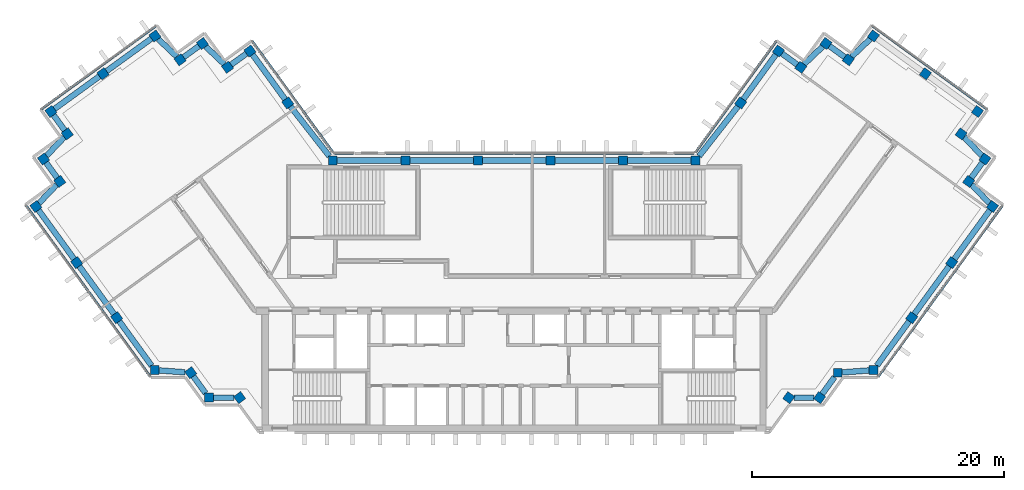
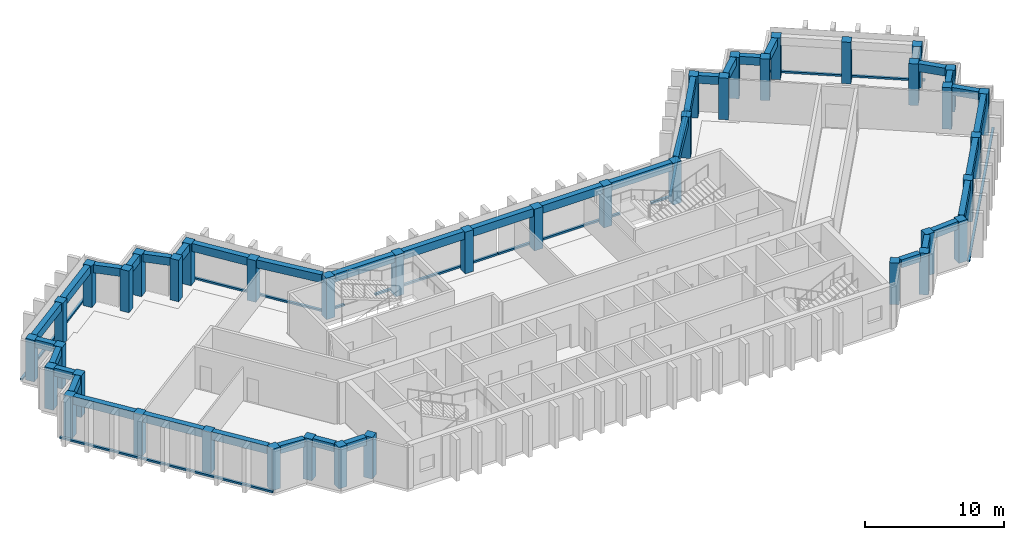
"""IFC4 building model written with IfcOpenShell, lengths in metres."""

from ifc_helpers import new_model, si_unit, direction, frame, origin, origin_2d, place, context, subcontext, project, spatial, rectangle, extrude, material, material_profile, profile_set, type_object, element, aggregate, save


model = new_model("IFC4")

# Units and contexts
model_context = context("Model", 3, precision=1e-05, world=origin(), true_north=direction((0.0, 1.0)))
body_context = subcontext(model_context, "Body", "Model", "MODEL_VIEW")
ifc_project = project(units=[si_unit("LENGTHUNIT", "METRE"), si_unit("AREAUNIT", "SQUARE_METRE"), si_unit("VOLUMEUNIT", "CUBIC_METRE"), si_unit("PLANEANGLEUNIT", "RADIAN"), si_unit("MASSUNIT", "GRAM", prefix="KILO")], contexts=[model_context])

# Site, building, storey
site_placement = place(None, origin())
site = spatial("IfcSite", under=ifc_project, at=site_placement, CompositionType="ELEMENT")
building_placement = place(site_placement, origin())
building = spatial("IfcBuilding", under=site, at=building_placement, Name="Quipu Civic Tower", CompositionType="ELEMENT")
storey_1_placement = place(building_placement, frame((0.0, 0.0, 289.0)))
storey_1 = spatial("IfcBuildingStorey", under=building, at=storey_1_placement, Name="L67", CompositionType="ELEMENT", Elevation=289.0)

# Columns
ifc_material_1 = material(Name="Concrete C50/60", Category="concrete")
ifc_material_profile_1 = material_profile(ifc_material_1, rectangle(XDim=0.699951171875, YDim=0.699951171875, at=origin_2d()), Name="RC700x700")
ifc_profile_set_1 = profile_set([ifc_material_profile_1], Name="Concrete C50/60")
column_type = type_object("IfcColumnType", Name="Perimeter column RC 700x700 C50/60", PredefinedType="COLUMN", material=ifc_profile_set_1)
for number, where, z_axis, x_axis, name in (
    (1, (-17.9736328125, 15.074951171875, 0.0), (0.0, 0.0, 1.0), (-0.587785252292, 0.809016994375, 0.0), "Column L67 W-IN-01"),
    (2, (-20.969970703125, 19.195068359375, 0.0), (0.0, 0.0, 1.0), (-0.587785252292, 0.809016994375, 0.0), "Column L67 T-Wi.0-W22"),
    (3, (-22.749267578125, 17.904296875, 0.0), (0.0, 0.0, 1.0), (-0.587785252292, 0.809016994375, 0.0), "Column L67 T-Wi.1-W22"),
    (4, (-24.739990234375, 19.794921875, 0.0), (0.0, 0.0, 1.0), (-0.587785252292, 0.809016994375, 0.0), "Column L67 T-Wi.2-W22"),
    (5, (-26.51904296875, 18.50048828125, 0.0), (0.0, 0.0, 1.0), (-0.587785252292, 0.809016994375, 0.0), "Column L67 T-Wi.3-W22"),
    (6, (-28.510009765625, 20.389892578125, 0.0), (0.0, 0.0, 1.0), (-0.809016994375, -0.587785252292, 0.0), "Column L67 T-Wi.4-W22"),
    (7, (-32.636962890625, 17.39306640625, 0.0), (0.0, 0.0, 1.0), (-0.809016994375, -0.587785252292, 0.0), "Column L67 TIP-W-01-W22"),
    (8, (-36.764892578125, 14.39501953125, 0.0), (0.0, 0.0, 1.0), (0.587785252292, -0.809016994375, 0.0), "Column L67 T-Wo.0-W22"),
    (9, (-35.470703125, 12.616455078125, 0.0), (0.0, 0.0, 1.0), (-0.809016994375, -0.587785252292, 0.0), "Column L67 T-Wo.1-W22"),
    (10, (-37.360107421875, 10.625, 0.0), (0.0, 0.0, 1.0), (0.587785252292, -0.809016994375, 0.0), "Column L67 T-Wo.2-W22"),
    (11, (-36.068115234375, 8.843994140625, 0.0), (0.0, 0.0, 1.0), (0.587785252292, -0.809016994375, 0.0), "Column L67 T-Wo.3-W22"),
    (12, (-37.9599609375, 6.85498046875, 0.0), (0.0, 0.0, 1.0), (0.587785252292, -0.809016994375, 0.0), "Column L67 T-Wo.4-W22"),
    (13, (-34.722412109375, 2.39990234375, 0.0), (0.0, 0.0, 1.0), (0.587785252292, -0.809016994375, 0.0), "Column L67 W-OUT-02"),
    (14, (-31.54833984375, -1.96875, 0.0), (0.0, 0.0, 1.0), (0.587785252292, -0.809016994375, 0.0), "Column L67 W-OUT-01"),
    (15, (-28.52490234375, -6.1298828125, 0.0), (0.0, 0.0, 1.0), (1.0, 0.0, 0.0), "Column L67 J-Wo.0"),
    (16, (-25.67431640625, -6.3369140625, 0.0), (0.0, 0.0, 1.0), (0.587785252292, -0.809016994375, 0.0), "Column L67 J-Wo.1"),
    (17, (-24.235107421875, -8.31494140625, 0.0), (0.0, 0.0, 1.0), (1.0, 0.0, 0.0), "Column L67 J-Wo.2"),
    (18, (-21.791748046875, -8.31494140625, 0.0), (0.0, 0.0, 1.0), (0.587785252292, -0.809016994375, 0.0), "Column L67 J-Wo.3"),
    (19, (21.791748046875, -8.31494140625, 0.0), (0.0, 0.0, 1.0), (0.587785252292, 0.809016994375, 0.0), "Column L67 J-Eo.1"),
    (20, (24.235107421875, -8.31494140625, 0.0), (0.0, 0.0, 1.0), (0.587785252292, 0.809016994375, 0.0), "Column L67 J-Eo.2"),
    (21, (25.67431640625, -6.3369140625, 0.0), (0.0, 0.0, 1.0), (1.0, 0.0, 0.0), "Column L67 J-Eo.3"),
    (22, (28.52490234375, -6.1298828125, 0.0), (0.0, 0.0, 1.0), (1.0, 0.0, 0.0), "Column L67 J-Eo.4"),
    (23, (31.54833984375, -1.96875, 0.0), (0.0, 0.0, 1.0), (0.587785252292, 0.809016994375, 0.0), "Column L67 E-OUT-01"),
    (24, (34.722412109375, 2.39990234375, 0.0), (0.0, 0.0, 1.0), (0.587785252292, 0.809016994375, 0.0), "Column L67 E-OUT-02"),
    (25, (37.9599609375, 6.85498046875, 0.0), (0.0, 0.0, 1.0), (0.587785252292, 0.809016994375, 0.0), "Column L67 T-Eo.0-E22"),
    (26, (36.068115234375, 8.843994140625, 0.0), (0.0, 0.0, 1.0), (0.587785252292, 0.809016994375, 0.0), "Column L67 T-Eo.1-E22"),
    (27, (37.360107421875, 10.625, 0.0), (0.0, 0.0, 1.0), (0.587785252292, 0.809016994375, 0.0), "Column L67 T-Eo.2-E22"),
    (28, (35.470703125, 12.616455078125, 0.0), (0.0, 0.0, 1.0), (-0.809016994375, 0.587785252292, 0.0), "Column L67 T-Eo.3-E22"),
    (29, (36.764892578125, 14.39501953125, 0.0), (0.0, 0.0, 1.0), (-0.809016994375, 0.587785252292, 0.0), "Column L67 T-Eo.4-E22"),
    (30, (32.636962890625, 17.39306640625, 0.0), (0.0, 0.0, 1.0), (-0.809016994375, 0.587785252292, 0.0), "Column L67 TIP-E-01-E22"),
    (31, (28.510009765625, 20.389892578125, 0.0), (0.0, 0.0, 1.0), (-0.587785252292, -0.809016994375, 0.0), "Column L67 T-Ei.0-E22"),
    (32, (26.51904296875, 18.50048828125, 0.0), (0.0, 0.0, 1.0), (-0.809016994375, 0.587785252292, 0.0), "Column L67 T-Ei.1-E22"),
    (33, (24.739990234375, 19.794921875, 0.0), (0.0, 0.0, 1.0), (-0.587785252292, -0.809016994375, 0.0), "Column L67 T-Ei.2-E22"),
    (34, (22.749267578125, 17.904296875, 0.0), (0.0, 0.0, 1.0), (-0.587785252292, -0.809016994375, 0.0), "Column L67 T-Ei.3-E22"),
    (35, (20.969970703125, 19.195068359375, 0.0), (0.0, 0.0, 1.0), (-0.587785252292, -0.809016994375, 0.0), "Column L67 T-Ei.4-E22"),
    (36, (17.9736328125, 15.074951171875, 0.0), (0.0, 0.0, 1.0), (-0.587785252292, -0.809016994375, 0.0), "Column L67 E-IN-01"),
    (37, (14.395263671875, 10.5, 0.0), (0.0, 0.0, 1.0), (-1.0, 0.0, 0.0), "Column L67 J-Ei.0"),
    (38, (8.63720703125, 10.5, 0.0), (0.0, 0.0, 1.0), (-1.0, 0.0, 0.0), "Column L67 FRONT-01"),
    (39, (2.87890625, 10.5, 0.0), (0.0, 0.0, 1.0), (-1.0, 0.0, 0.0), "Column L67 FRONT-02"),
    (40, (-2.87890625, 10.5, 0.0), (0.0, 0.0, 1.0), (-1.0, 0.0, 0.0), "Column L67 FRONT-03"),
    (41, (-8.63720703125, 10.5, 0.0), (0.0, 0.0, 1.0), (-1.0, 0.0, 0.0), "Column L67 FRONT-04"),
    (42, (-14.395263671875, 10.5, 0.0), (0.0, 0.0, 1.0), (-1.0, 0.0, 0.0), "Column L67 J-Wi.0"),
):
    element("IfcColumn", number, at=place(storey_1_placement, frame(where, z_axis=z_axis, x_axis=x_axis)), inside=storey_1, type_object=column_type, Name=name, PredefinedType="COLUMN", context=body_context, shape_type="SweptSolid", body=[
        extrude(rectangle(XDim=0.699951171875, YDim=0.699951171875, at=origin_2d()), origin(), (0.0, 0.0, 1.0), 3.64990234375),
    ])

# Beams
ifc_material_2 = material(Name="Concrete C50/60", Category="concrete")
ifc_material_profile_2 = material_profile(ifc_material_2, rectangle(XDim=0.449951171875, YDim=0.699951171875, at=origin_2d()), Name="RC450x700")
ifc_profile_set_2 = profile_set([ifc_material_profile_2], Name="Concrete C50/60")
beam_type = type_object("IfcBeamType", Name="Spandrel beam RC 450x700 C50/60", PredefinedType="SPANDREL", material=ifc_profile_set_2)
beam_1_placement = place(storey_1_placement, frame((-18.179443359375, 15.358154296875, 3.300048828125), z_axis=(-0.588201428764, 0.808714460857, 0.0), x_axis=(-0.808714460857, -0.588201428764, 0.0)))
element("IfcBeam", 43, at=beam_1_placement, inside=storey_1, type_object=beam_type, Name="Spandrel beam L67 W-IN-01 to T-Wi.0-W22", PredefinedType="SPANDREL", context=body_context, shape_type="SweptSolid", body=[
    extrude(rectangle(XDim=0.449951171875, YDim=0.699951171875, at=origin_2d()), origin(), (0.0, 0.0, 1.0), 4.394287109375),
])
beam_2_placement = place(storey_1_placement, frame((-21.25341796875, 18.989501953125, 3.300048828125), z_axis=(-0.809461336076, -0.587173181776, 0.0), x_axis=(0.587173181776, -0.809461336076, 0.0)))
element("IfcBeam", 44, at=beam_2_placement, inside=storey_1, type_object=beam_type, Name="Spandrel beam L67 T-Wi.0-W22 to T-Wi.1-W22", PredefinedType="SPANDREL", context=body_context, shape_type="SweptSolid", body=[
    extrude(rectangle(XDim=0.449951171875, YDim=0.699951171875, at=origin_2d()), origin(), (0.0, 0.0, 1.0), 1.498046875),
])
beam_3_placement = place(storey_1_placement, frame((-23.00732421875, 18.1494140625, 3.300048828125), z_axis=(-0.72511931772, 0.6886232461, 0.0), x_axis=(-0.6886232461, -0.72511931772, 0.0)))
element("IfcBeam", 45, at=beam_3_placement, inside=storey_1, type_object=beam_type, Name="Spandrel beam L67 T-Wi.1-W22 to T-Wi.2-W22", PredefinedType="SPANDREL", context=body_context, shape_type="SweptSolid", body=[
    extrude(rectangle(XDim=0.449951171875, YDim=0.699951171875, at=origin_2d()), origin(), (0.0, 0.0, 1.0), 2.03369140625),
])
beam_4_placement = place(storey_1_placement, frame((-25.02294921875, 19.589111328125, 3.300048828125), z_axis=(-0.808644589435, -0.588297482553, 0.0), x_axis=(0.588297482553, -0.808644589435, 0.0)))
element("IfcBeam", 46, at=beam_4_placement, inside=storey_1, type_object=beam_type, Name="Spandrel beam L67 T-Wi.2-W22 to T-Wi.3-W22", PredefinedType="SPANDREL", context=body_context, shape_type="SweptSolid", body=[
    extrude(rectangle(XDim=0.449951171875, YDim=0.699951171875, at=origin_2d()), origin(), (0.0, 0.0, 1.0), 1.500244140625),
])
beam_5_placement = place(storey_1_placement, frame((-26.777099609375, 18.74560546875, 3.300048828125), z_axis=(-0.725359138958, 0.688370626574, 0.0), x_axis=(-0.688370626574, -0.725359138958, 0.0)))
element("IfcBeam", 47, at=beam_5_placement, inside=storey_1, type_object=beam_type, Name="Spandrel beam L67 T-Wi.3-W22 to T-Wi.4-W22", PredefinedType="SPANDREL", context=body_context, shape_type="SweptSolid", body=[
    extrude(rectangle(XDim=0.449951171875, YDim=0.699951171875, at=origin_2d()), origin(), (0.0, 0.0, 1.0), 2.032958984375),
])
beam_6_placement = place(storey_1_placement, frame((-28.793212890625, 20.184326171875, 3.300048828125), z_axis=(-0.809146152767, -0.587607439931, 0.0), x_axis=(0.587607439931, -0.809146152767, 0.0)))
element("IfcBeam", 48, at=beam_6_placement, inside=storey_1, type_object=beam_type, Name="Spandrel beam L67 T-Wi.4-W22 to TIP-W-01-W22", PredefinedType="SPANDREL", context=body_context, shape_type="SweptSolid", body=[
    extrude(rectangle(XDim=0.449951171875, YDim=0.699951171875, at=origin_2d()), origin(), (0.0, 0.0, 1.0), 4.400390625),
])
beam_7_placement = place(storey_1_placement, frame((-32.920166015625, 17.187255859375, 3.300048828125), z_axis=(-0.809117270763, -0.587647208921, 0.0), x_axis=(0.587647208921, -0.809117270763, 0.0)))
element("IfcBeam", 49, at=beam_7_placement, inside=storey_1, type_object=beam_type, Name="Spandrel beam L67 TIP-W-01-W22 to T-Wo.0-W22", PredefinedType="SPANDREL", context=body_context, shape_type="SweptSolid", body=[
    extrude(rectangle(XDim=0.449951171875, YDim=0.699951171875, at=origin_2d()), origin(), (0.0, 0.0, 1.0), 4.40185546875),
])
beam_8_placement = place(storey_1_placement, frame((-36.55908203125, 14.112060546875, 3.300048828125), z_axis=(0.588345920092, -0.808609348394, 0.0), x_axis=(0.808609348394, 0.588345920092, 0.0)))
element("IfcBeam", 50, at=beam_8_placement, inside=storey_1, type_object=beam_type, Name="Spandrel beam L67 T-Wo.0-W22 to T-Wo.1-W22", PredefinedType="SPANDREL", context=body_context, shape_type="SweptSolid", body=[
    extrude(rectangle(XDim=0.449951171875, YDim=0.699951171875, at=origin_2d()), origin(), (0.0, 0.0, 1.0), 1.499755859375),
])
beam_9_placement = place(storey_1_placement, frame((-35.7158203125, 12.358154296875, 3.300048828125), z_axis=(-0.688247466856, -0.725475998477, 0.0), x_axis=(0.725475998477, -0.688247466856, 0.0)))
element("IfcBeam", 51, at=beam_9_placement, inside=storey_1, type_object=beam_type, Name="Spandrel beam L67 T-Wo.1-W22 to T-Wo.2-W22", PredefinedType="SPANDREL", context=body_context, shape_type="SweptSolid", body=[
    extrude(rectangle(XDim=0.449951171875, YDim=0.699951171875, at=origin_2d()), origin(), (0.0, 0.0, 1.0), 2.032958984375),
])
beam_10_placement = place(storey_1_placement, frame((-37.154541015625, 10.341796875, 3.300048828125), z_axis=(0.587164895097, -0.809467347066, 0.0), x_axis=(0.809467347066, 0.587164895097, 0.0)))
element("IfcBeam", 52, at=beam_10_placement, inside=storey_1, type_object=beam_type, Name="Spandrel beam L67 T-Wo.2-W22 to T-Wo.3-W22", PredefinedType="SPANDREL", context=body_context, shape_type="SweptSolid", body=[
    extrude(rectangle(XDim=0.449951171875, YDim=0.699951171875, at=origin_2d()), origin(), (0.0, 0.0, 1.0), 1.500244140625),
])
beam_11_placement = place(storey_1_placement, frame((-36.3134765625, 8.586181640625, 3.300048828125), z_axis=(-0.689175330605, -0.724594620244, 0.0), x_axis=(0.724594620244, -0.689175330605, 0.0)))
element("IfcBeam", 53, at=beam_11_placement, inside=storey_1, type_object=beam_type, Name="Spandrel beam L67 T-Wo.3-W22 to T-Wo.4-W22", PredefinedType="SPANDREL", context=body_context, shape_type="SweptSolid", body=[
    extrude(rectangle(XDim=0.449951171875, YDim=0.699951171875, at=origin_2d()), origin(), (0.0, 0.0, 1.0), 2.033447265625),
])
beam_12_placement = place(storey_1_placement, frame((-37.754150390625, 6.57177734375, 3.300048828125), z_axis=(0.587905928359, -0.808929304328, 0.0), x_axis=(0.808929304328, 0.587905928359, 0.0)))
element("IfcBeam", 54, at=beam_12_placement, inside=storey_1, type_object=beam_type, Name="Spandrel beam L67 T-Wo.4-W22 to W-OUT-02", PredefinedType="SPANDREL", context=body_context, shape_type="SweptSolid", body=[
    extrude(rectangle(XDim=0.449951171875, YDim=0.699951171875, at=origin_2d()), origin(), (0.0, 0.0, 1.0), 4.80712890625),
])
beam_13_placement = place(storey_1_placement, frame((-34.5166015625, 2.116943359375, 3.300048828125), z_axis=(0.587788656305, -0.809014521204, 0.0), x_axis=(0.809014521204, 0.587788656305, 0.0)))
element("IfcBeam", 55, at=beam_13_placement, inside=storey_1, type_object=beam_type, Name="Spandrel beam L67 W-OUT-02 to W-OUT-01", PredefinedType="SPANDREL", context=body_context, shape_type="SweptSolid", body=[
    extrude(rectangle(XDim=0.449951171875, YDim=0.699951171875, at=origin_2d()), origin(), (0.0, 0.0, 1.0), 4.7001953125),
])
beam_14_placement = place(storey_1_placement, frame((-31.342529296875, -2.251953125, 3.300048828125), z_axis=(0.58777550284, -0.809024077677, 0.0), x_axis=(0.809024077677, 0.58777550284, 0.0)))
element("IfcBeam", 56, at=beam_14_placement, inside=storey_1, type_object=beam_type, Name="Spandrel beam L67 W-OUT-01 to J-Wo.0", PredefinedType="SPANDREL", context=body_context, shape_type="SweptSolid", body=[
    extrude(rectangle(XDim=0.449951171875, YDim=0.699951171875, at=origin_2d()), origin(), (0.0, 0.0, 1.0), 4.36083984375),
])
beam_15_placement = place(storey_1_placement, frame((-28.175048828125, -6.155517578125, 3.300048828125), z_axis=(0.99737333325, -0.072432272649, 0.0), x_axis=(0.072432272649, 0.99737333325, 0.0)))
element("IfcBeam", 57, at=beam_15_placement, inside=storey_1, type_object=beam_type, Name="Spandrel beam L67 J-Wo.0 to J-Wo.1", PredefinedType="SPANDREL", context=body_context, shape_type="SweptSolid", body=[
    extrude(rectangle(XDim=0.449951171875, YDim=0.699951171875, at=origin_2d()), origin(), (0.0, 0.0, 1.0), 2.04931640625),
])
beam_16_placement = place(storey_1_placement, frame((-25.468505859375, -6.6201171875, 3.300048828125), z_axis=(0.588407300614, -0.80856468423, 0.0), x_axis=(0.80856468423, 0.588407300614, 0.0)))
element("IfcBeam", 58, at=beam_16_placement, inside=storey_1, type_object=beam_type, Name="Spandrel beam L67 J-Wo.1 to J-Wo.2", PredefinedType="SPANDREL", context=body_context, shape_type="SweptSolid", body=[
    extrude(rectangle(XDim=0.449951171875, YDim=0.699951171875, at=origin_2d()), origin(), (0.0, 0.0, 1.0), 1.663330078125),
])
beam_17_placement = place(storey_1_placement, frame((-23.885009765625, -8.31494140625, 3.300048828125), z_axis=(1.0, 0.0, 0.0), x_axis=(0.0, 1.0, 0.0)))
element("IfcBeam", 59, at=beam_17_placement, inside=storey_1, type_object=beam_type, Name="Spandrel beam L67 J-Wo.2 to J-Wo.3", PredefinedType="SPANDREL", context=body_context, shape_type="SweptSolid", body=[
    extrude(rectangle(XDim=0.449951171875, YDim=0.699951171875, at=origin_2d()), origin(), (0.0, 0.0, 1.0), 1.66064453125),
])
beam_18_placement = place(storey_1_placement, frame((22.224365234375, -8.31494140625, 3.300048828125), z_axis=(1.0, 0.0, 0.0), x_axis=(0.0, 1.0, 0.0)))
element("IfcBeam", 60, at=beam_18_placement, inside=storey_1, type_object=beam_type, Name="Spandrel beam L67 J-Eo.1 to J-Eo.2", PredefinedType="SPANDREL", context=body_context, shape_type="SweptSolid", body=[
    extrude(rectangle(XDim=0.449951171875, YDim=0.699951171875, at=origin_2d()), origin(), (0.0, 0.0, 1.0), 1.578125),
])
beam_19_placement = place(storey_1_placement, frame((24.44091796875, -8.031982421875, 3.300048828125), z_axis=(0.588407300614, 0.80856468423, 0.0), x_axis=(-0.80856468423, 0.588407300614, 0.0)))
element("IfcBeam", 61, at=beam_19_placement, inside=storey_1, type_object=beam_type, Name="Spandrel beam L67 J-Eo.2 to J-Eo.3", PredefinedType="SPANDREL", context=body_context, shape_type="SweptSolid", body=[
    extrude(rectangle(XDim=0.449951171875, YDim=0.699951171875, at=origin_2d()), origin(), (0.0, 0.0, 1.0), 1.663330078125),
])
beam_20_placement = place(storey_1_placement, frame((26.0244140625, -6.3115234375, 3.300048828125), z_axis=(0.997379352029, 0.072349347934, 0.0), x_axis=(-0.072349347934, 0.997379352029, 0.0)))
element("IfcBeam", 62, at=beam_20_placement, inside=storey_1, type_object=beam_type, Name="Spandrel beam L67 J-Eo.3 to J-Eo.4", PredefinedType="SPANDREL", context=body_context, shape_type="SweptSolid", body=[
    extrude(rectangle(XDim=0.449951171875, YDim=0.699951171875, at=origin_2d()), origin(), (0.0, 0.0, 1.0), 2.15625),
])
beam_21_placement = place(storey_1_placement, frame((28.779296875, -5.780029296875, 3.300048828125), z_axis=(0.58777550284, 0.809024077677, 0.0), x_axis=(-0.809024077677, 0.58777550284, 0.0)))
element("IfcBeam", 63, at=beam_21_placement, inside=storey_1, type_object=beam_type, Name="Spandrel beam L67 J-Eo.4 to E-OUT-01", PredefinedType="SPANDREL", context=body_context, shape_type="SweptSolid", body=[
    extrude(rectangle(XDim=0.449951171875, YDim=0.699951171875, at=origin_2d()), origin(), (0.0, 0.0, 1.0), 4.36083984375),
])
beam_22_placement = place(storey_1_placement, frame((31.75390625, -1.685546875, 3.300048828125), z_axis=(0.587788656305, 0.809014521204, 0.0), x_axis=(-0.809014521204, 0.587788656305, 0.0)))
element("IfcBeam", 64, at=beam_22_placement, inside=storey_1, type_object=beam_type, Name="Spandrel beam L67 E-OUT-01 to E-OUT-02", PredefinedType="SPANDREL", context=body_context, shape_type="SweptSolid", body=[
    extrude(rectangle(XDim=0.449951171875, YDim=0.699951171875, at=origin_2d()), origin(), (0.0, 0.0, 1.0), 4.7001953125),
])
beam_23_placement = place(storey_1_placement, frame((34.927978515625, 2.68310546875, 3.300048828125), z_axis=(0.587905928359, 0.808929304328, 0.0), x_axis=(-0.808929304328, 0.587905928359, 0.0)))
element("IfcBeam", 65, at=beam_23_placement, inside=storey_1, type_object=beam_type, Name="Spandrel beam L67 E-OUT-02 to T-Eo.0-E22", PredefinedType="SPANDREL", context=body_context, shape_type="SweptSolid", body=[
    extrude(rectangle(XDim=0.449951171875, YDim=0.699951171875, at=origin_2d()), origin(), (0.0, 0.0, 1.0), 4.80712890625),
])
beam_24_placement = place(storey_1_placement, frame((37.71484375, 7.11279296875, 3.300048828125), z_axis=(-0.689175330605, 0.724594620244, 0.0), x_axis=(-0.724594620244, -0.689175330605, 0.0)))
element("IfcBeam", 66, at=beam_24_placement, inside=storey_1, type_object=beam_type, Name="Spandrel beam L67 T-Eo.0-E22 to T-Eo.1-E22", PredefinedType="SPANDREL", context=body_context, shape_type="SweptSolid", body=[
    extrude(rectangle(XDim=0.449951171875, YDim=0.699951171875, at=origin_2d()), origin(), (0.0, 0.0, 1.0), 2.033447265625),
])
beam_25_placement = place(storey_1_placement, frame((36.273681640625, 9.12744140625, 3.300048828125), z_axis=(0.587164895097, 0.809467347066, 0.0), x_axis=(-0.809467347066, 0.587164895097, 0.0)))
element("IfcBeam", 67, at=beam_25_placement, inside=storey_1, type_object=beam_type, Name="Spandrel beam L67 T-Eo.1-E22 to T-Eo.2-E22", PredefinedType="SPANDREL", context=body_context, shape_type="SweptSolid", body=[
    extrude(rectangle(XDim=0.449951171875, YDim=0.699951171875, at=origin_2d()), origin(), (0.0, 0.0, 1.0), 1.500244140625),
])
for number, where, z_axis, x_axis, name in (
    (68, (37.114990234375, 10.88330078125, 3.300048828125), (-0.688247466856, 0.725475998477, 0.0), (-0.725475998477, -0.688247466856, 0.0), "Spandrel beam L67 T-Eo.2-E22 to T-Eo.3-E22"),
    (69, (28.251708984375, 20.14501953125, 3.300048828125), (-0.725359138958, -0.688370626574, 0.0), (0.688370626574, -0.725359138958, 0.0), "Spandrel beam L67 T-Ei.0-E22 to T-Ei.1-E22"),
):
    element("IfcBeam", number, at=place(storey_1_placement, frame(where, z_axis=z_axis, x_axis=x_axis)), inside=storey_1, type_object=beam_type, Name=name, PredefinedType="SPANDREL", context=body_context, shape_type="SweptSolid", body=[
        extrude(rectangle(XDim=0.449951171875, YDim=0.699951171875, at=origin_2d()), origin(), (0.0, 0.0, 1.0), 2.032958984375),
    ])
beam_26_placement = place(storey_1_placement, frame((26.236083984375, 18.70654296875, 3.300048828125), z_axis=(-0.808644589435, 0.588297482553, 0.0), x_axis=(-0.588297482553, -0.808644589435, 0.0)))
element("IfcBeam", 70, at=beam_26_placement, inside=storey_1, type_object=beam_type, Name="Spandrel beam L67 T-Ei.1-E22 to T-Ei.2-E22", PredefinedType="SPANDREL", context=body_context, shape_type="SweptSolid", body=[
    extrude(rectangle(XDim=0.449951171875, YDim=0.699951171875, at=origin_2d()), origin(), (0.0, 0.0, 1.0), 1.500244140625),
])
beam_27_placement = place(storey_1_placement, frame((24.48193359375, 19.5498046875, 3.300048828125), z_axis=(-0.72511931772, -0.6886232461, 0.0), x_axis=(0.6886232461, -0.72511931772, 0.0)))
element("IfcBeam", 71, at=beam_27_placement, inside=storey_1, type_object=beam_type, Name="Spandrel beam L67 T-Ei.2-E22 to T-Ei.3-E22", PredefinedType="SPANDREL", context=body_context, shape_type="SweptSolid", body=[
    extrude(rectangle(XDim=0.449951171875, YDim=0.699951171875, at=origin_2d()), origin(), (0.0, 0.0, 1.0), 2.03369140625),
])
beam_28_placement = place(storey_1_placement, frame((22.466064453125, 18.10986328125, 3.300048828125), z_axis=(-0.809461336076, 0.587173181776, 0.0), x_axis=(-0.587173181776, -0.809461336076, 0.0)))
element("IfcBeam", 72, at=beam_28_placement, inside=storey_1, type_object=beam_type, Name="Spandrel beam L67 T-Ei.3-E22 to T-Ei.4-E22", PredefinedType="SPANDREL", context=body_context, shape_type="SweptSolid", body=[
    extrude(rectangle(XDim=0.449951171875, YDim=0.699951171875, at=origin_2d()), origin(), (0.0, 0.0, 1.0), 1.498046875),
])
beam_29_placement = place(storey_1_placement, frame((20.76416015625, 18.911865234375, 3.300048828125), z_axis=(-0.588201428764, -0.808714460857, 0.0), x_axis=(0.808714460857, -0.588201428764, 0.0)))
element("IfcBeam", 73, at=beam_29_placement, inside=storey_1, type_object=beam_type, Name="Spandrel beam L67 T-Ei.4-E22 to E-IN-01", PredefinedType="SPANDREL", context=body_context, shape_type="SweptSolid", body=[
    extrude(rectangle(XDim=0.449951171875, YDim=0.699951171875, at=origin_2d()), origin(), (0.0, 0.0, 1.0), 4.394287109375),
])
beam_30_placement = place(storey_1_placement, frame((17.7578125, 14.799072265625, 3.300048828125), z_axis=(-0.616106034519, -0.787663223865, 0.0), x_axis=(0.787663223865, -0.616106034519, 0.0)))
element("IfcBeam", 74, at=beam_30_placement, inside=storey_1, type_object=beam_type, Name="Spandrel beam L67 E-IN-01 to J-Ei.0", PredefinedType="SPANDREL", context=body_context, shape_type="SweptSolid", body=[
    extrude(rectangle(XDim=0.449951171875, YDim=0.699951171875, at=origin_2d()), origin(), (0.0, 0.0, 1.0), 5.013427734375),
])
for number, where, z_axis, x_axis, name in (
    (75, (14.045166015625, 10.5, 3.300048828125), (-1.0, 0.0, 0.0), (0.0, -1.0, 0.0), "Spandrel beam L67 J-Ei.0 to FRONT-01"),
    (76, (8.287109375, 10.5, 3.300048828125), (-1.0, 0.0, 0.0), (0.0, -1.0, 0.0), "Spandrel beam L67 FRONT-01 to FRONT-02"),
    (77, (2.529052734375, 10.5, 3.300048828125), (-1.0, 0.0, 0.0), (0.0, -1.0, 0.0), "Spandrel beam L67 FRONT-02 to FRONT-03"),
    (78, (-3.22900390625, 10.5, 3.300048828125), (-1.0, 0.0, 0.0), (0.0, -1.0, 0.0), "Spandrel beam L67 FRONT-03 to FRONT-04"),
    (79, (-8.987060546875, 10.5, 3.300048828125), (-1.0, 0.0, 0.0), (0.0, -1.0, 0.0), "Spandrel beam L67 FRONT-04 to J-Wi.0"),
):
    element("IfcBeam", number, at=place(storey_1_placement, frame(where, z_axis=z_axis, x_axis=x_axis)), inside=storey_1, type_object=beam_type, Name=name, PredefinedType="SPANDREL", context=body_context, shape_type="SweptSolid", body=[
        extrude(rectangle(XDim=0.449951171875, YDim=0.699951171875, at=origin_2d()), origin(), (0.0, 0.0, 1.0), 5.05810546875),
    ])
beam_31_placement = place(storey_1_placement, frame((-14.6689453125, 10.85009765625, 3.300048828125), z_axis=(-0.616106034519, 0.787663223865, 0.0), x_axis=(-0.787663223865, -0.616106034519, 0.0)))
element("IfcBeam", 80, at=beam_31_placement, inside=storey_1, type_object=beam_type, Name="Spandrel beam L67 J-Wi.0 to W-IN-01", PredefinedType="SPANDREL", context=body_context, shape_type="SweptSolid", body=[
    extrude(rectangle(XDim=0.449951171875, YDim=0.699951171875, at=origin_2d()), origin(), (0.0, 0.0, 1.0), 5.013427734375),
])

# Storey
storey_2_placement = place(building_placement, frame((0.0, 0.0, 285.0)))
storey_2 = spatial("IfcBuildingStorey", under=building, at=storey_2_placement, Name="L66", CompositionType="ELEMENT", Elevation=285.0)

# Curtain wall, member
ifc_material_3 = material(Name="Insulated glass unit", Category="glass")
curtain_wall_type = type_object("IfcCurtainWallType", Name="Office curtain wall CW1", PredefinedType="NOTDEFINED", material=ifc_material_3)
curtain_wall_1_placement = place(storey_2_placement, origin())
curtain_wall_1 = element("IfcCurtainWall", 81, at=curtain_wall_1_placement, inside=storey_2, type_object=curtain_wall_type, Name="Office curtain wall CW1 L65 run 1", PredefinedType="NOTDEFINED")
ifc_material_4 = material(Name="Anodised aluminium", Category="aluminium")
ifc_material_profile_3 = material_profile(ifc_material_4, rectangle(XDim=0.199951171875, YDim=0.159912109375, at=origin_2d()), Name="RECT 200x160")
ifc_profile_set_3 = profile_set([ifc_material_profile_3], Name="Anodised aluminium")
member_type = type_object("IfcMemberType", Name="Transom CW1", PredefinedType="USERDEFINED", material=ifc_profile_set_3)
member_1_placement = place(storey_1_placement, frame((-14.39111328125, 11.164794921875, 0.080078125), z_axis=(-0.587796859727, 0.809008560953, 0.0), x_axis=(-0.809008560953, -0.587796859727, 0.0)))
member_1 = element("IfcMember", 82, at=member_1_placement, inside=storey_1, type_object=member_type, Name="CW1 transom 1.3", ObjectType="TRANSOM", PredefinedType="USERDEFINED", context=body_context, shape_type="SweptSolid", body=[
    extrude(rectangle(XDim=0.199951171875, YDim=0.159912109375, at=origin_2d()), origin(), (0.0, 0.0, 1.0), 10.88427734375),
])
aggregate(curtain_wall_1, [member_1])

curtain_wall_2_placement = place(storey_2_placement, origin())
curtain_wall_2 = element("IfcCurtainWall", 83, at=curtain_wall_2_placement, inside=storey_2, type_object=curtain_wall_type, Name="Office curtain wall CW1 L65 run 6", PredefinedType="NOTDEFINED")
member_2_placement = place(storey_1_placement, frame((-28.443359375, 21.1826171875, 0.080078125), z_axis=(-0.809022463805, -0.587777724194, 0.0), x_axis=(0.587777724194, -0.809022463805, 0.0)))
member_2 = element("IfcMember", 84, at=member_2_placement, inside=storey_1, type_object=member_type, Name="CW1 transom 1.3", ObjectType="TRANSOM", PredefinedType="USERDEFINED", context=body_context, shape_type="SweptSolid", body=[
    extrude(rectangle(XDim=0.199951171875, YDim=0.159912109375, at=origin_2d()), origin(), (0.0, 0.0, 1.0), 11.240234375),
])
aggregate(curtain_wall_2, [member_2])

# Curtain wall, members
curtain_wall_3_placement = place(storey_2_placement, origin())
curtain_wall_3 = element("IfcCurtainWall", 85, at=curtain_wall_3_placement, inside=storey_2, type_object=curtain_wall_type, Name="Office curtain wall CW1 L65 run 11", PredefinedType="NOTDEFINED")
member_3_placement = place(storey_1_placement, frame((-38.7490234375, 6.92138671875, 0.080078125), z_axis=(0.587779098815, -0.809021465102, 0.0), x_axis=(0.809021465102, 0.587779098815, 0.0)))
member_3 = element("IfcMember", 86, at=member_3_placement, inside=storey_1, type_object=member_type, Name="CW1 transom 1.3", ObjectType="TRANSOM", PredefinedType="USERDEFINED", context=body_context, shape_type="SweptSolid", body=[
    extrude(rectangle(XDim=0.199951171875, YDim=0.159912109375, at=origin_2d()), origin(), (0.0, 0.0, 1.0), 8.35791015625),
])
member_4_placement = place(storey_1_placement, frame((-33.78955078125, 0.094970703125, 0.080078125), z_axis=(0.587812107925, -0.808997481935, 0.0), x_axis=(0.808997481935, 0.587812107925, 0.0)))
member_4 = element("IfcMember", 87, at=member_4_placement, inside=storey_1, type_object=member_type, Name="CW1 transom 2.3", ObjectType="TRANSOM", PredefinedType="USERDEFINED", context=body_context, shape_type="SweptSolid", body=[
    extrude(rectangle(XDim=0.199951171875, YDim=0.159912109375, at=origin_2d()), origin(), (0.0, 0.0, 1.0), 8.35791015625),
])
aggregate(curtain_wall_3, [member_3, member_4])

curtain_wall_4_placement = place(storey_2_placement, origin())
curtain_wall_4 = element("IfcCurtainWall", 88, at=curtain_wall_4_placement, inside=storey_2, type_object=curtain_wall_type, Name="Office curtain wall CW1 L65 run 23", PredefinedType="NOTDEFINED")
member_5_placement = place(storey_1_placement, frame((28.876708984375, -6.66650390625, 0.080078125), z_axis=(0.587812107925, 0.808997481935, 0.0), x_axis=(-0.808997481935, 0.587812107925, 0.0)))
member_5 = element("IfcMember", 89, at=member_5_placement, inside=storey_1, type_object=member_type, Name="CW1 transom 1.3", ObjectType="TRANSOM", PredefinedType="USERDEFINED", context=body_context, shape_type="SweptSolid", body=[
    extrude(rectangle(XDim=0.199951171875, YDim=0.159912109375, at=origin_2d()), origin(), (0.0, 0.0, 1.0), 8.35791015625),
])
member_6_placement = place(storey_1_placement, frame((33.83642578125, 0.15966796875, 0.080078125), z_axis=(0.587779098815, 0.809021465102, 0.0), x_axis=(-0.809021465102, 0.587779098815, 0.0)))
member_6 = element("IfcMember", 90, at=member_6_placement, inside=storey_1, type_object=member_type, Name="CW1 transom 2.3", ObjectType="TRANSOM", PredefinedType="USERDEFINED", context=body_context, shape_type="SweptSolid", body=[
    extrude(rectangle(XDim=0.199951171875, YDim=0.159912109375, at=origin_2d()), origin(), (0.0, 0.0, 1.0), 8.35791015625),
])
aggregate(curtain_wall_4, [member_5, member_6])

# Curtain wall, member
curtain_wall_5_placement = place(storey_2_placement, origin())
curtain_wall_5 = element("IfcCurtainWall", 91, at=curtain_wall_5_placement, inside=storey_2, type_object=curtain_wall_type, Name="Office curtain wall CW1 L65 run 28", PredefinedType="NOTDEFINED")
member_7_placement = place(storey_1_placement, frame((37.536865234375, 14.575927734375, 0.080078125), z_axis=(-0.809022463805, 0.587777724194, 0.0), x_axis=(-0.587777724194, -0.809022463805, 0.0)))
member_7 = element("IfcMember", 92, at=member_7_placement, inside=storey_1, type_object=member_type, Name="CW1 transom 1.3", ObjectType="TRANSOM", PredefinedType="USERDEFINED", context=body_context, shape_type="SweptSolid", body=[
    extrude(rectangle(XDim=0.199951171875, YDim=0.159912109375, at=origin_2d()), origin(), (0.0, 0.0, 1.0), 11.240234375),
])
aggregate(curtain_wall_5, [member_7])

curtain_wall_6_placement = place(storey_2_placement, origin())
curtain_wall_6 = element("IfcCurtainWall", 93, at=curtain_wall_6_placement, inside=storey_2, type_object=curtain_wall_type, Name="Office curtain wall CW1 L65 run 33", PredefinedType="NOTDEFINED")
member_8_placement = place(storey_1_placement, frame((20.788818359375, 19.97021484375, 0.080078125), z_axis=(-0.587796859727, -0.809008560953, 0.0), x_axis=(0.809008560953, -0.587796859727, 0.0)))
member_8 = element("IfcMember", 94, at=member_8_placement, inside=storey_1, type_object=member_type, Name="CW1 transom 1.3", ObjectType="TRANSOM", PredefinedType="USERDEFINED", context=body_context, shape_type="SweptSolid", body=[
    extrude(rectangle(XDim=0.199951171875, YDim=0.159912109375, at=origin_2d()), origin(), (0.0, 0.0, 1.0), 10.88427734375),
])
aggregate(curtain_wall_6, [member_8])

curtain_wall_7_placement = place(storey_2_placement, origin())
curtain_wall_7 = element("IfcCurtainWall", 95, at=curtain_wall_7_placement, inside=storey_2, type_object=curtain_wall_type, Name="Office curtain wall CW1 L65 run 34", PredefinedType="NOTDEFINED")
member_9_placement = place(storey_1_placement, frame((14.26416015625, 11.10009765625, 0.080078125), z_axis=(-1.0, 0.0, 0.0), x_axis=(0.0, -1.0, 0.0)))
member_9 = element("IfcMember", 96, at=member_9_placement, inside=storey_1, type_object=member_type, Name="CW1 transom 1.3", ObjectType="TRANSOM", PredefinedType="USERDEFINED", context=body_context, shape_type="SweptSolid", body=[
    extrude(rectangle(XDim=0.199951171875, YDim=0.159912109375, at=origin_2d()), origin(), (0.0, 0.0, 1.0), 1.529052734375),
])
aggregate(curtain_wall_7, [member_9])

# Curtain wall, members
curtain_wall_8_placement = place(storey_2_placement, origin())
curtain_wall_8 = element("IfcCurtainWall", 97, at=curtain_wall_8_placement, inside=storey_2, type_object=curtain_wall_type, Name="Office curtain wall CW1 L65 run 36", PredefinedType="NOTDEFINED")
member_10_placement = place(storey_1_placement, frame((10.18359375, 11.10009765625, 0.080078125), z_axis=(-1.0, 0.0, 0.0), x_axis=(0.0, -1.0, 0.0)))
member_10 = element("IfcMember", 98, at=member_10_placement, inside=storey_1, type_object=member_type, Name="CW1 transom 1.3", ObjectType="TRANSOM", PredefinedType="USERDEFINED", context=body_context, shape_type="SweptSolid", body=[
    extrude(rectangle(XDim=0.199951171875, YDim=0.159912109375, at=origin_2d()), origin(), (0.0, 0.0, 1.0), 10.1435546875),
])
member_11_placement = place(storey_1_placement, frame((-0.0400390625, 11.10009765625, 0.080078125), z_axis=(-1.0, 0.0, 0.0), x_axis=(0.0, -1.0, 0.0)))
member_11 = element("IfcMember", 99, at=member_11_placement, inside=storey_1, type_object=member_type, Name="CW1 transom 2.3", ObjectType="TRANSOM", PredefinedType="USERDEFINED", context=body_context, shape_type="SweptSolid", body=[
    extrude(rectangle(XDim=0.199951171875, YDim=0.159912109375, at=origin_2d()), origin(), (0.0, 0.0, 1.0), 10.1435546875),
])
aggregate(curtain_wall_8, [member_10, member_11])

# Curtain wall, member
curtain_wall_9_placement = place(storey_2_placement, origin())
curtain_wall_9 = element("IfcCurtainWall", 100, at=curtain_wall_9_placement, inside=storey_2, type_object=curtain_wall_type, Name="Office curtain wall CW1 L65 run 38", PredefinedType="NOTDEFINED")
member_12_placement = place(storey_1_placement, frame((-12.735107421875, 11.10009765625, 0.080078125), z_axis=(-1.0, 0.0, 0.0), x_axis=(0.0, -1.0, 0.0)))
member_12 = element("IfcMember", 101, at=member_12_placement, inside=storey_1, type_object=member_type, Name="CW1 transom 1.3", ObjectType="TRANSOM", PredefinedType="USERDEFINED", context=body_context, shape_type="SweptSolid", body=[
    extrude(rectangle(XDim=0.199951171875, YDim=0.159912109375, at=origin_2d()), origin(), (0.0, 0.0, 1.0), 1.529052734375),
])
aggregate(curtain_wall_9, [member_12])

save(model, "model.ifc")
